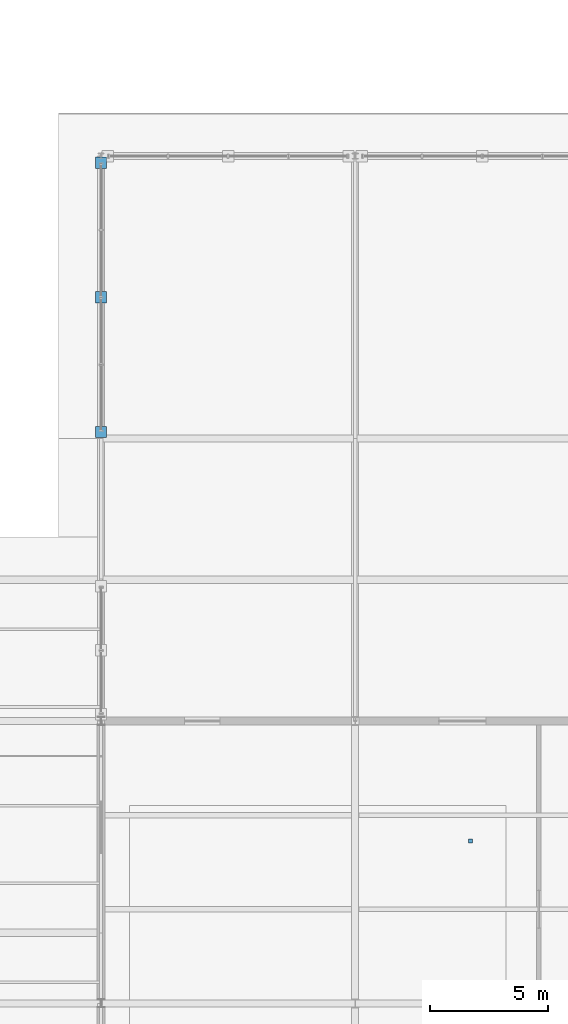
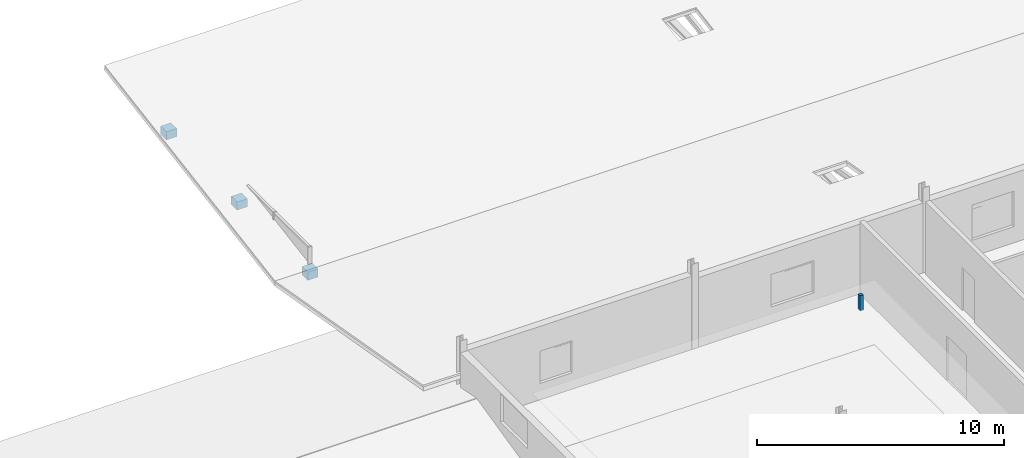
# One storey, part 112 of 117: 4 discrete accessories.
"""IFC4 building model written with IfcOpenShell, lengths in metres."""

from ifc_helpers import new_model, si_unit, direction, frame, origin, origin_2d, place, context, subcontext, project, spatial, rectangle, extrude, material, layer, layer_set, type_object, element, save


model = new_model("IFC4")

# Units and contexts
model_context = context("Model", 3, precision=1e-05, world=origin(), true_north=direction((0.0, 1.0)))
body_context = subcontext(model_context, "Body", "Model", "MODEL_VIEW")
ifc_project = project(units=[si_unit("LENGTHUNIT", "METRE"), si_unit("AREAUNIT", "SQUARE_METRE"), si_unit("VOLUMEUNIT", "CUBIC_METRE"), si_unit("PLANEANGLEUNIT", "RADIAN"), si_unit("MASSUNIT", "GRAM", prefix="KILO")], contexts=[model_context])

# Site, building, storey
site_placement = place(None, origin())
site = spatial("IfcSite", under=ifc_project, at=site_placement, CompositionType="ELEMENT")
building_placement = place(site_placement, origin())
building = spatial("IfcBuilding", under=site, at=building_placement, Name="Merenkruunu Market Hall", CompositionType="ELEMENT")
storey_placement = place(building_placement, frame((0.0, 0.0, 10.199951171875)))
storey = spatial("IfcBuildingStorey", under=building, at=storey_placement, Name="L02", CompositionType="ELEMENT", Elevation=10.199951171875)

# Discrete accessories
ifc_material = material(Name="Brushed stainless steel", Category="steel")
ifc_layer = layer(ifc_material, 0.159912109375)
ifc_layer_set = layer_set([ifc_layer], Name="Brushed stainless steel")
discrete_accessory_type = type_object("IfcDiscreteAccessoryType", Name="Stainless Facade Support Bracket BRK01", PredefinedType="BRACKET", material=ifc_layer_set)
for number, where, z_axis, x_axis, name in (
    (1, (148.800048828125, 51.8798828125, -0.179931640625), (0.0, 0.0, 1.0), (1.0, 0.0, 0.0), "ACC-CWBRK-234-1"),
    (2, (148.800048828125, 57.60009765625, -0.179931640625), (0.0, 0.0, 1.0), (1.0, 0.0, 0.0), "ACC-CWBRK-234-2"),
    (3, (148.800048828125, 63.320068359375, -0.179931640625), (0.0, 0.0, 1.0), (1.0, 0.0, 0.0), "ACC-CWBRK-234-3"),
):
    element("IfcDiscreteAccessory", number, at=place(storey_placement, frame(where, z_axis=z_axis, x_axis=x_axis)), inside=storey, type_object=discrete_accessory_type, Name=name, PredefinedType="BRACKET", context=body_context, shape_type="SweptSolid", body=[
        extrude(rectangle(XDim=0.47998046875, YDim=0.47998046875, at=origin_2d()), origin(), (0.0, 0.0, 1.0), 0.39990234375),
    ])
discrete_accessory_placement = place(storey_placement, frame((164.5, 34.5, 3.199951171875), z_axis=(0.0, 0.0, 1.0), x_axis=(1.0, 0.0, 0.0)))
element("IfcDiscreteAccessory", 4, at=discrete_accessory_placement, inside=storey, type_object=discrete_accessory_type, Name="ACC-CLGHNG-5-2", PredefinedType="BRACKET", context=body_context, shape_type="SweptSolid", body=[
    extrude(rectangle(XDim=0.159912109375, YDim=0.159912109375, at=origin_2d()), origin(), (0.0, 0.0, 1.0), 0.75),
])

save(model, "model.ifc")
